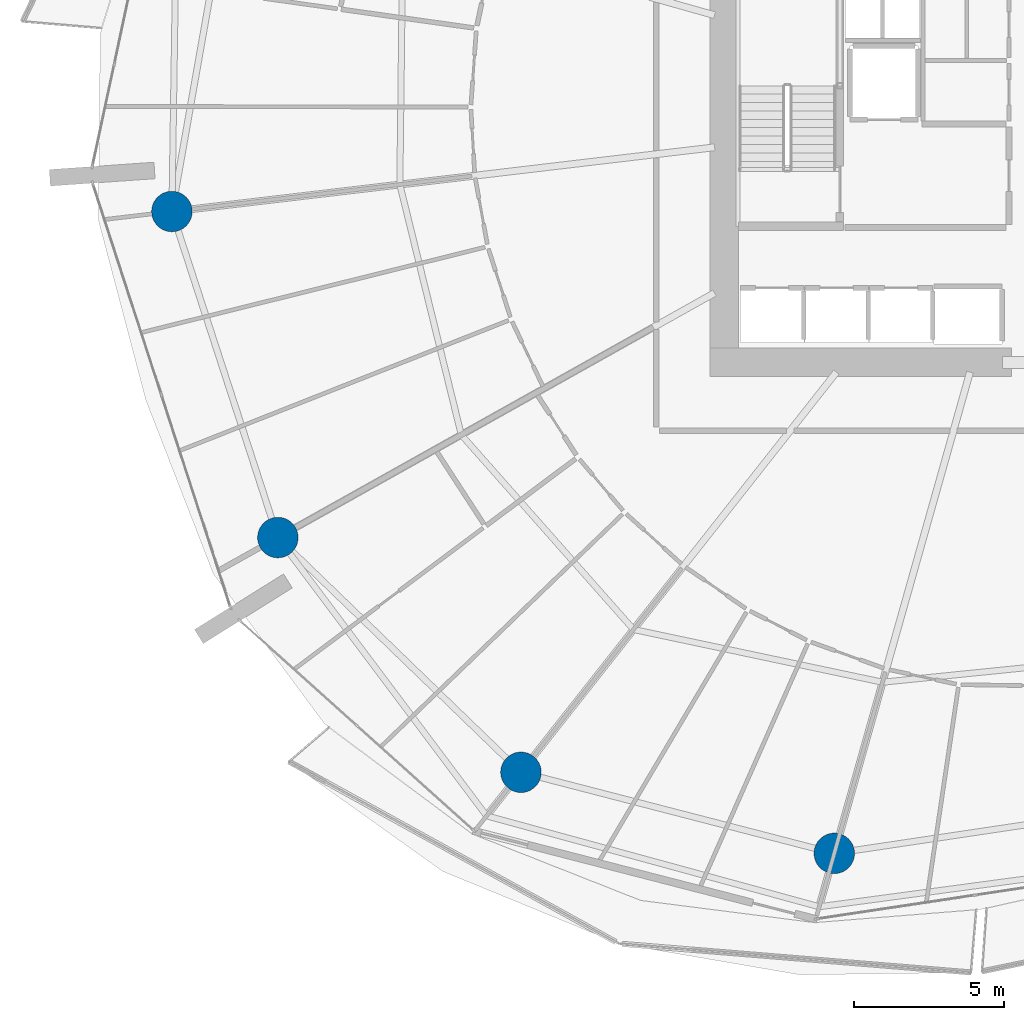
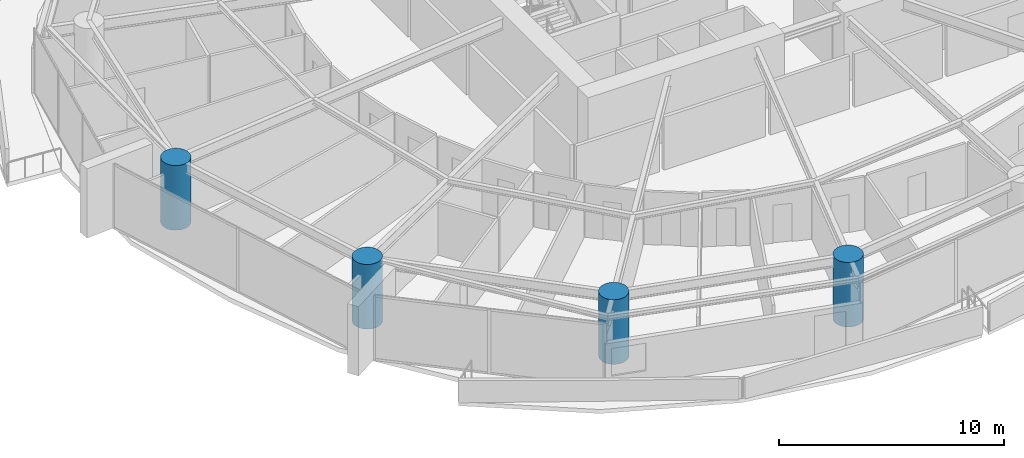
# One storey, part 1 of 31: 4 columns.
"""IFC4 building model written with IfcOpenShell, lengths in metres."""

from ifc_helpers import new_model, si_unit, direction, frame, origin, origin_2d, place, context, subcontext, project, spatial, circle, extrude, material, material_profile, profile_set, type_object, element, save


model = new_model("IFC4")

# Units and contexts
model_context = context("Model", 3, precision=1e-05, world=origin(), true_north=direction((0.0, 1.0)))
body_context = subcontext(model_context, "Body", "Model", "MODEL_VIEW")
ifc_project = project(units=[si_unit("LENGTHUNIT", "METRE"), si_unit("AREAUNIT", "SQUARE_METRE"), si_unit("VOLUMEUNIT", "CUBIC_METRE"), si_unit("PLANEANGLEUNIT", "RADIAN"), si_unit("MASSUNIT", "GRAM", prefix="KILO")], contexts=[model_context])

# Site, building, storey
site_placement = place(None, origin())
site = spatial("IfcSite", under=ifc_project, at=site_placement, CompositionType="ELEMENT")
building_placement = place(site_placement, origin())
building = spatial("IfcBuilding", under=site, at=building_placement, Name="Kazma Halo Residences", CompositionType="ELEMENT")
storey_placement = place(building_placement, frame((0.0, 0.0, 41.39990234375)))
storey = spatial("IfcBuildingStorey", under=building, at=storey_placement, Name="L09", CompositionType="ELEMENT", Elevation=41.39990234375)

# Columns
ifc_material = material(Name="Concrete C80/95", Category="concrete")
ifc_material_profile = material_profile(ifc_material, circle(Radius=0.675048828125, at=origin_2d()), Name="CIRC1350")
ifc_profile_set = profile_set([ifc_material_profile], Name="Concrete C80/95")
column_type = type_object("IfcColumnType", Name="COL-PERIM-1350", PredefinedType="COLUMN", material=ifc_profile_set)
for number, where, z_axis, x_axis, name in (
    (1, (18.902099609375, 38.555908203125, 0.0), (0.0, 0.0, 1.0), (1.0, 0.0, 0.0), "L09 perimeter ring column P08"),
    (2, (22.43505859375, 27.682861328125, 0.0), (0.0, 0.0, 1.0), (1.0, 0.0, 0.0), "L09 perimeter ring column P09"),
    (3, (30.541748046875, 19.854248046875, 0.0), (0.0, 0.0, 1.0), (1.0, 0.0, 0.0), "L09 perimeter ring column P10"),
    (4, (40.99169921875, 17.150634765625, 0.0), (0.0, 0.0, 1.0), (1.0, 0.0, 0.0), "L09 perimeter ring column P11"),
):
    element("IfcColumn", number, at=place(storey_placement, frame(where, z_axis=z_axis, x_axis=x_axis)), inside=storey, type_object=column_type, Name=name, PredefinedType="COLUMN", context=body_context, shape_type="SweptSolid", body=[
        extrude(circle(Radius=0.675048828125, at=origin_2d()), origin(), (0.0, 0.0, 1.0), 3.5),
    ])

save(model, "model.ifc")
